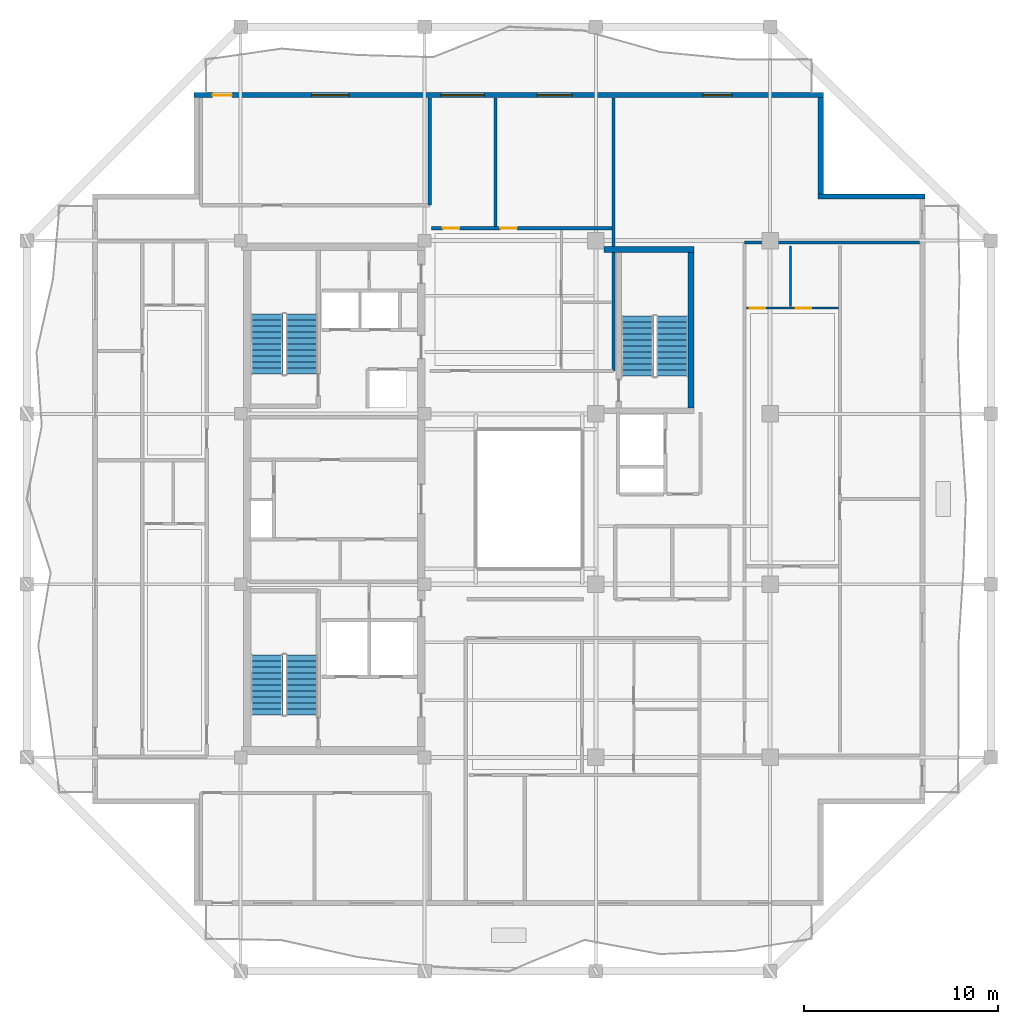
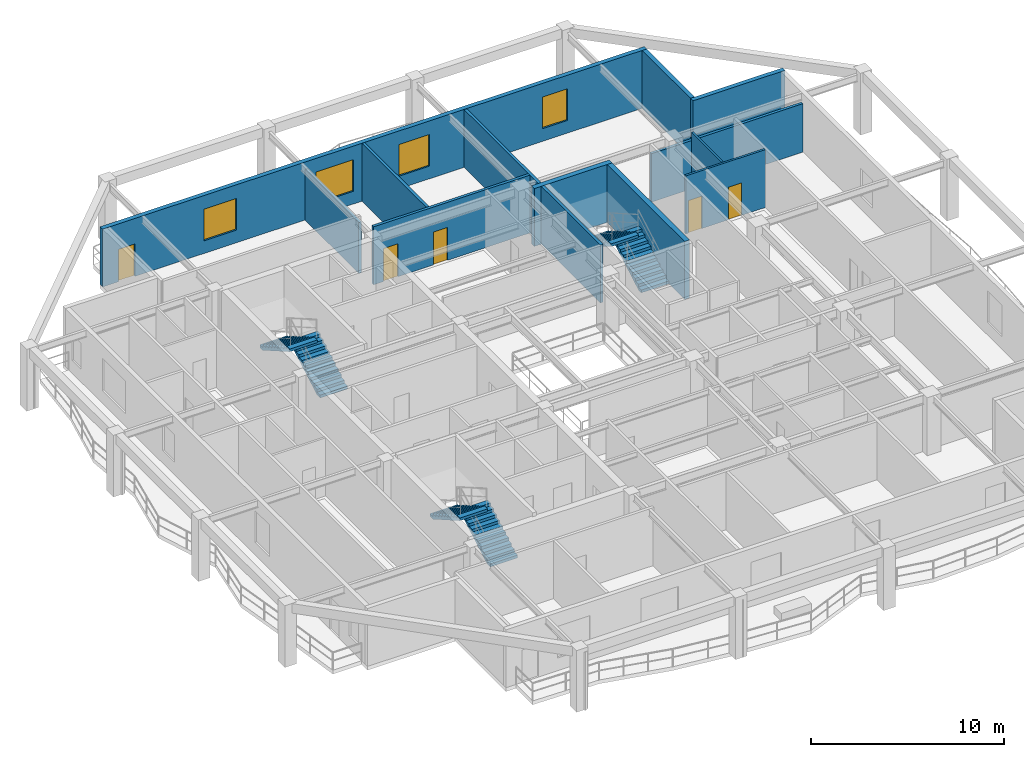
# One storey, part 6 of 11: 12 walls, 6 stair flights, 5 doors, 4 windows, 9 openings, 3 elements without a shape of their own.
"""IFC4 building model written with IfcOpenShell, lengths in metres."""

from ifc_helpers import new_model, si_unit, direction, frame, frame_2d, origin, place, context, subcontext, project, spatial, polyline, rectangle, outline, extrude, material, layer, layer_set, type_object, element, fill, aggregate, save


model = new_model("IFC4")

# Units and contexts
model_context = context("Model", 3, precision=1e-05, world=origin(), true_north=direction((0.0, 1.0)))
body_context = subcontext(model_context, "Body", "Model", "MODEL_VIEW")
ifc_project = project(units=[si_unit("LENGTHUNIT", "METRE"), si_unit("AREAUNIT", "SQUARE_METRE"), si_unit("VOLUMEUNIT", "CUBIC_METRE"), si_unit("PLANEANGLEUNIT", "RADIAN"), si_unit("MASSUNIT", "GRAM", prefix="KILO")], contexts=[model_context])

# Site, building, storey
site_placement = place(None, origin())
site = spatial("IfcSite", under=ifc_project, at=site_placement, CompositionType="ELEMENT")
building_placement = place(site_placement, origin())
building = spatial("IfcBuilding", under=site, at=building_placement, Name="Kundavana Baori Tower", CompositionType="ELEMENT")
storey_placement = place(building_placement, frame((0.0, 0.0, 249.199951171875)))
storey = spatial("IfcBuildingStorey", under=building, at=storey_placement, Name="L61", CompositionType="ELEMENT", Elevation=249.199951171875)

# Walls
ifc_material_1 = material(Name="Kiln-Fired Terracotta Brick-Slip Masonry on Concrete C40/50", Category="masonry")
ifc_layer_1 = layer(ifc_material_1, 0.260009765625, Name="WL-EXT-BRK-260")
ifc_layer_set_1 = layer_set([ifc_layer_1], Name="Kiln-Fired Terracotta Brick-Slip Masonry on Concrete C40/50")
wall_type_1 = type_object("IfcWallType", Name="WL-EXT-BRK-260", PredefinedType="SOLIDWALL", material=ifc_layer_set_1)
wall_1_placement = place(storey_placement, frame((50.800048828125, 44.219970703125, 0.0), z_axis=(0.0, 0.0, 1.0), x_axis=(-1.0, 0.0, 0.0)))
element("IfcWall", 1, at=wall_1_placement, inside=storey, type_object=wall_type_1, Name="L61 Exterior Insulated Facade Wall 05", PredefinedType="SOLIDWALL", context=body_context, shape_type="SweptSolid", body=[
    extrude(rectangle(XDim=5.510009765625, YDim=0.260009765625, at=frame_2d((2.7548828125, 0.0))), origin(), (0.0, 0.0, 1.0), 3.66015625),
])
wall_2_placement = place(storey_placement, frame((45.419921875, 44.35009765625, 0.0), z_axis=(0.0, 0.0, 1.0), x_axis=(0.0, 1.0, 0.0)))
element("IfcWall", 2, at=wall_2_placement, inside=storey, type_object=wall_type_1, Name="L61 Exterior Insulated Facade Wall 06", PredefinedType="SOLIDWALL", context=body_context, shape_type="SweptSolid", body=[
    extrude(rectangle(XDim=4.989990234375, YDim=0.260009765625, at=frame_2d((2.4951171875, 0.0))), origin(), (0.0, 0.0, 1.0), 3.66015625),
])

# Wall, openings, door, windows
wall_3_placement = place(storey_placement, frame((45.550048828125, 49.469970703125, 0.0), z_axis=(0.0, 0.0, 1.0), x_axis=(-1.0, 0.0, 0.0)))
wall_3 = element("IfcWall", 3, at=wall_3_placement, inside=storey, type_object=wall_type_1, Name="L61 Exterior Insulated Facade Wall 07", PredefinedType="SOLIDWALL", context=body_context, shape_type="SweptSolid", body=[
    extrude(rectangle(XDim=32.5, YDim=0.260009765625, at=frame_2d((16.25, 0.0))), origin(), (0.0, 0.0, 1.0), 3.66015625),
])
opening_1_placement = place(wall_3_placement, frame((30.550048828125, 0.0, 0.0)))
opening_1 = element("IfcOpeningElement", 4, at=opening_1_placement, cuts=wall_3, Name="Opening BD-1", PredefinedType="OPENING", context=body_context, shape_type="SweptSolid", body=[
    extrude(rectangle(XDim=1.0, YDim=2.050048828125, at=frame_2d((0.5, 1.02490234375))), frame((0.0, 0.14013671875, 0.0), z_axis=(0.0, -1.0, 0.0), x_axis=(1.0, 0.0, 0.0)), (0.0, 0.0, 1.0), 0.280029296875),
])
opening_2_placement = place(wall_3_placement, frame((24.489990234375, 0.0, 0.800048828125)))
opening_2 = element("IfcOpeningElement", 5, at=opening_2_placement, cuts=wall_3, Name="Opening W-09", PredefinedType="OPENING", context=body_context, shape_type="SweptSolid", body=[
    extrude(rectangle(XDim=1.949951171875, YDim=2.0, at=frame_2d((0.97509765625, 1.0))), frame((0.0, 0.14013671875, 0.0), z_axis=(0.0, -1.0, 0.0), x_axis=(1.0, 0.0, 0.0)), (0.0, 0.0, 1.0), 0.280029296875),
])
opening_3_placement = place(wall_3_placement, frame((17.5029296875, 0.0, 0.800048828125)))
opening_3 = element("IfcOpeningElement", 6, at=opening_3_placement, cuts=wall_3, Name="Opening W-10", PredefinedType="OPENING", context=body_context, shape_type="SweptSolid", body=[
    extrude(rectangle(XDim=2.25, YDim=2.0, at=frame_2d((1.125, 1.0))), frame((0.0, 0.14013671875, 0.0), z_axis=(0.0, -1.0, 0.0), x_axis=(1.0, 0.0, 0.0)), (0.0, 0.0, 1.0), 0.280029296875),
])
opening_4_placement = place(wall_3_placement, frame((12.97802734375, 0.0, 0.800048828125)))
opening_4 = element("IfcOpeningElement", 7, at=opening_4_placement, cuts=wall_3, Name="Opening W-01", PredefinedType="OPENING", context=body_context, shape_type="SweptSolid", body=[
    extrude(rectangle(XDim=1.800048828125, YDim=2.0, at=frame_2d((0.89990234375, 1.0))), frame((0.0, 0.14013671875, 0.0), z_axis=(0.0, -1.0, 0.0), x_axis=(1.0, 0.0, 0.0)), (0.0, 0.0, 1.0), 0.280029296875),
])
opening_5_placement = place(wall_3_placement, frame((4.719970703125, 0.0, 0.800048828125)))
opening_5 = element("IfcOpeningElement", 8, at=opening_5_placement, cuts=wall_3, Name="Opening W-02", PredefinedType="OPENING", context=body_context, shape_type="SweptSolid", body=[
    extrude(rectangle(XDim=1.5, YDim=2.0, at=frame_2d((0.75, 1.0))), frame((0.0, 0.14013671875, 0.0), z_axis=(0.0, -1.0, 0.0), x_axis=(1.0, 0.0, 0.0)), (0.0, 0.0, 1.0), 0.280029296875),
])
ifc_material_2 = material(Name="Architectural Patinated Bronze Metalwork")
door_type_1 = type_object("IfcDoorType", Name="DR-EXT-LOG-1000", OperationType="NOTDEFINED", PredefinedType="DOOR", material=ifc_material_2)
door_1_placement = place(opening_1_placement, frame((1.0, 0.0, 0.0), z_axis=(0.0, 0.0, 1.0), x_axis=(-1.0, 0.0, 0.0)))
door_1 = element("IfcDoor", 9, at=door_1_placement, inside=storey, type_object=door_type_1, Name="L61 Loggia Balcony Access Door N", OperationType="SINGLE_SWING_LEFT", OverallHeight=2.050048828125, OverallWidth=1.0, PredefinedType="DOOR", context=body_context, shape_type="SweptSolid", body=[
    extrude(rectangle(XDim=1.0, YDim=2.050048828125, at=frame_2d((0.5, 1.02490234375))), frame((0.0, 0.02490234375, 0.0), z_axis=(0.0, -1.0, 0.0), x_axis=(1.0, 0.0, 0.0)), (0.0, 0.0, 1.0), 0.050048828125),
])
fill(opening_1, door_1)
ifc_material_3 = material(Name="Double-Glazed Solar-Control Low-E Insulated Glass", Category="glass")
window_type_1 = type_object("IfcWindowType", Name="WIN-LOG-1500x2000", PartitioningType="SINGLE_PANEL", PredefinedType="WINDOW", material=ifc_material_3)
window_1_placement = place(opening_5_placement, origin())
window_1 = element("IfcWindow", 10, at=window_1_placement, inside=storey, type_object=window_type_1, Name="L61 Recessed Loggia Window N-4", OverallHeight=2.0, OverallWidth=1.5, PartitioningType="SINGLE_PANEL", PredefinedType="WINDOW", context=body_context, shape_type="SweptSolid", body=[
    extrude(rectangle(XDim=1.5, YDim=2.0, at=frame_2d((0.75, 1.0))), frame((0.0, 0.030029296875, 0.0), z_axis=(0.0, -1.0, 0.0), x_axis=(1.0, 0.0, 0.0)), (0.0, 0.0, 1.0), 0.06005859375),
])
fill(opening_5, window_1)
ifc_material_4 = material(Name="Double-Glazed Solar-Control Low-E Insulated Glass", Category="glass")
window_type_2 = type_object("IfcWindowType", Name="WIN-LOG-1800x2000", PartitioningType="SINGLE_PANEL", PredefinedType="WINDOW", material=ifc_material_4)
window_2_placement = place(opening_4_placement, origin())
window_2 = element("IfcWindow", 11, at=window_2_placement, inside=storey, type_object=window_type_2, Name="L61 Recessed Loggia Window N-3", OverallHeight=2.0, OverallWidth=1.800048828125, PartitioningType="SINGLE_PANEL", PredefinedType="WINDOW", context=body_context, shape_type="SweptSolid", body=[
    extrude(rectangle(XDim=1.800048828125, YDim=2.0, at=frame_2d((0.89990234375, 1.0))), frame((0.0, 0.030029296875, 0.0), z_axis=(0.0, -1.0, 0.0), x_axis=(1.0, 0.0, 0.0)), (0.0, 0.0, 1.0), 0.06005859375),
])
fill(opening_4, window_2)
ifc_material_5 = material(Name="Double-Glazed Solar-Control Low-E Insulated Glass", Category="glass")
window_type_3 = type_object("IfcWindowType", Name="WIN-LOG-1950x2000", PartitioningType="SINGLE_PANEL", PredefinedType="WINDOW", material=ifc_material_5)
window_3_placement = place(opening_2_placement, origin())
window_3 = element("IfcWindow", 12, at=window_3_placement, inside=storey, type_object=window_type_3, Name="L61 Recessed Loggia Window N-1", OverallHeight=2.0, OverallWidth=1.949951171875, PartitioningType="SINGLE_PANEL", PredefinedType="WINDOW", context=body_context, shape_type="SweptSolid", body=[
    extrude(rectangle(XDim=1.949951171875, YDim=2.0, at=frame_2d((0.97509765625, 1.0))), frame((0.0, 0.030029296875, 0.0), z_axis=(0.0, -1.0, 0.0), x_axis=(1.0, 0.0, 0.0)), (0.0, 0.0, 1.0), 0.06005859375),
])
fill(opening_2, window_3)
ifc_material_6 = material(Name="Double-Glazed Solar-Control Low-E Insulated Glass", Category="glass")
window_type_4 = type_object("IfcWindowType", Name="WIN-LOG-2250x2000", PartitioningType="SINGLE_PANEL", PredefinedType="WINDOW", material=ifc_material_6)
window_4_placement = place(opening_3_placement, origin())
window_4 = element("IfcWindow", 13, at=window_4_placement, inside=storey, type_object=window_type_4, Name="L61 Recessed Loggia Window N-2", OverallHeight=2.0, OverallWidth=2.25, PartitioningType="SINGLE_PANEL", PredefinedType="WINDOW", context=body_context, shape_type="SweptSolid", body=[
    extrude(rectangle(XDim=2.25, YDim=2.0, at=frame_2d((1.125, 1.0))), frame((0.0, 0.030029296875, 0.0), z_axis=(0.0, -1.0, 0.0), x_axis=(1.0, 0.0, 0.0)), (0.0, 0.0, 1.0), 0.06005859375),
])
fill(opening_3, window_4)

# Walls
ifc_material_7 = material(Name="Fire-Rated Gypsum Drywall on Galvanised Steel Studs", Category="steel")
ifc_layer_2 = layer(ifc_material_7, 0.1650390625, Name="WL-PART-165")
ifc_layer_set_2 = layer_set([ifc_layer_2], Name="Fire-Rated Gypsum Drywall on Galvanised Steel Studs")
wall_type_2 = type_object("IfcWallType", Name="WL-PART-165", PredefinedType="PARTITIONING", material=ifc_layer_set_2)
wall_4_placement = place(storey_placement, frame((25.219970703125, 43.780029296875, 0.0), z_axis=(0.0, 0.0, 1.0), x_axis=(0.0, 1.0, 0.0)))
element("IfcWall", 14, at=wall_4_placement, inside=storey, type_object=wall_type_2, Name="WL-L61-RNCE", PredefinedType="PARTITIONING", context=body_context, shape_type="SweptSolid", body=[
    extrude(rectangle(XDim=5.5400390625, YDim=0.1650390625, at=frame_2d((2.77001953125, 0.0))), origin(), (0.0, 0.0, 1.0), 3.2099609375),
])
wall_5_placement = place(storey_placement, frame((34.719970703125, 35.219970703125, 0.0), z_axis=(0.0, 0.0, 1.0), x_axis=(0.0, 1.0, 0.0)))
element("IfcWall", 15, at=wall_5_placement, inside=storey, type_object=wall_type_2, Name="WL-L61-RNEND", PredefinedType="PARTITIONING", context=body_context, shape_type="SweptSolid", body=[
    extrude(rectangle(XDim=14.10009765625, YDim=0.1650390625, at=frame_2d((7.050048828125, 0.0))), origin(), (0.0, 0.0, 1.0), 3.66015625),
])

# Wall, openings, doors
wall_6_placement = place(storey_placement, frame((25.300048828125, 42.590087890625, 0.0), z_axis=(0.0, 0.0, 1.0), x_axis=(1.0, 0.0, 0.0)))
wall_6 = element("IfcWall", 16, at=wall_6_placement, inside=storey, type_object=wall_type_2, Name="WL-L61-N1-HZ", PredefinedType="PARTITIONING", context=body_context, shape_type="SweptSolid", body=[
    extrude(rectangle(XDim=9.33984375, YDim=0.1650390625, at=frame_2d((4.669921875, 0.0))), origin(), (0.0, 0.0, 1.0), 3.66015625),
])
opening_6_placement = place(wall_6_placement, frame((0.60009765625, 0.0, 0.0)))
opening_6 = element("IfcOpeningElement", 17, at=opening_6_placement, cuts=wall_6, Name="Opening ID-085", PredefinedType="OPENING", context=body_context, shape_type="SweptSolid", body=[
    extrude(rectangle(XDim=0.85009765625, YDim=2.080078125, at=frame_2d((0.425048828125, 1.0400390625))), frame((0.0, 0.092529296875, 0.0), z_axis=(0.0, -1.0, 0.0), x_axis=(1.0, 0.0, 0.0)), (0.0, 0.0, 1.0), 0.18505859375),
])
opening_7_placement = place(wall_6_placement, frame((3.572998046875, 0.0, 0.0)))
opening_7 = element("IfcOpeningElement", 18, at=opening_7_placement, cuts=wall_6, Name="Opening ID-085", PredefinedType="OPENING", context=body_context, shape_type="SweptSolid", body=[
    extrude(rectangle(XDim=0.85009765625, YDim=2.080078125, at=frame_2d((0.425048828125, 1.0400390625))), frame((0.0, 0.092529296875, 0.0), z_axis=(0.0, -1.0, 0.0), x_axis=(1.0, 0.0, 0.0)), (0.0, 0.0, 1.0), 0.18505859375),
])
ifc_material_8 = material(Name="Engineered Teak Solid-Core Timber Veneer", Category="wood")
door_type_2 = type_object("IfcDoorType", Name="DR-INT-850", OperationType="NOTDEFINED", PredefinedType="DOOR", material=ifc_material_8)
door_2_placement = place(opening_6_placement, origin())
door_2 = element("IfcDoor", 19, at=door_2_placement, inside=storey, type_object=door_type_2, Name="DR-L61-N1-B1", OperationType="SINGLE_SWING_LEFT", OverallHeight=2.080078125, OverallWidth=0.85009765625, PredefinedType="DOOR", context=body_context, shape_type="SweptSolid", body=[
    extrude(rectangle(XDim=0.85009765625, YDim=2.080078125, at=frame_2d((0.425048828125, 1.0400390625))), frame((0.0, 0.02490234375, 0.0), z_axis=(0.0, -1.0, 0.0), x_axis=(1.0, 0.0, 0.0)), (0.0, 0.0, 1.0), 0.050048828125),
])
fill(opening_6, door_2)
door_3_placement = place(opening_7_placement, origin())
door_3 = element("IfcDoor", 20, at=door_3_placement, inside=storey, type_object=door_type_2, Name="DR-L61-N1-B2", OperationType="SINGLE_SWING_RIGHT", OverallHeight=2.080078125, OverallWidth=0.85009765625, PredefinedType="DOOR", context=body_context, shape_type="SweptSolid", body=[
    extrude(rectangle(XDim=0.85009765625, YDim=2.080078125, at=frame_2d((0.425048828125, 1.0400390625))), frame((0.0, 0.02490234375, 0.0), z_axis=(0.0, -1.0, 0.0), x_axis=(1.0, 0.0, 0.0)), (0.0, 0.0, 1.0), 0.050048828125),
])
fill(opening_7, door_3)

# Walls
wall_7_placement = place(storey_placement, frame((28.623046875, 42.669921875, 0.0), z_axis=(0.0, 0.0, 1.0), x_axis=(0.0, 1.0, 0.0)))
element("IfcWall", 21, at=wall_7_placement, inside=storey, type_object=wall_type_2, Name="WL-L61-N1-BDV", PredefinedType="PARTITIONING", context=body_context, shape_type="SweptSolid", body=[
    extrude(rectangle(XDim=6.650146484375, YDim=0.1650390625, at=frame_2d((3.3251953125, 0.0))), origin(), (0.0, 0.0, 1.0), 3.66015625),
])
wall_8_placement = place(storey_placement, frame((41.47998046875, 41.85009765625, 0.0), z_axis=(0.0, 0.0, 1.0), x_axis=(1.0, 0.0, 0.0)))
element("IfcWall", 22, at=wall_8_placement, inside=storey, type_object=wall_type_2, Name="WL-L61-REN", PredefinedType="PARTITIONING", context=body_context, shape_type="SweptSolid", body=[
    extrude(rectangle(XDim=9.0400390625, YDim=0.1650390625, at=frame_2d((4.52001953125, 0.0))), origin(), (0.0, 0.0, 1.0), 3.06005859375),
])
ifc_material_9 = material(Name="Concrete C50/60", Category="concrete")
ifc_layer_3 = layer(ifc_material_9, 0.300048828125, Name="WL-ST3-300")
ifc_layer_set_3 = layer_set([ifc_layer_3], Name="Concrete C50/60")
wall_type_3 = type_object("IfcWallType", Name="WL-ST3-300", PredefinedType="SHEAR", material=ifc_layer_set_3)
wall_9_placement = place(storey_placement, frame((34.22509765625, 41.489990234375, 0.0), z_axis=(0.0, 0.0, 1.0), x_axis=(1.0, 0.0, 0.0)))
element("IfcWall", 23, at=wall_9_placement, inside=storey, type_object=wall_type_3, Name="L61 Stair ST3 North Shear Wall", PredefinedType="SHEAR", context=body_context, shape_type="SweptSolid", body=[
    extrude(rectangle(XDim=4.64501953125, YDim=0.300048828125, at=frame_2d((2.322509765625, 0.0))), origin(), (0.0, 0.0, 1.0), 3.66015625),
])
wall_10_placement = place(storey_placement, frame((38.719970703125, 33.31005859375, 0.0), z_axis=(0.0, 0.0, 1.0), x_axis=(0.0, 1.0, 0.0)))
element("IfcWall", 24, at=wall_10_placement, inside=storey, type_object=wall_type_3, Name="L61 Stair ST3 East Shear Wall", PredefinedType="SHEAR", context=body_context, shape_type="SweptSolid", body=[
    extrude(rectangle(XDim=8.030029296875, YDim=0.300048828125, at=frame_2d((4.01513671875, 0.0))), origin(), (0.0, 0.0, 1.0), 3.66015625),
])

# Wall, openings, doors
ifc_material_10 = material(Name="Autoclaved Aerated Concrete Blockwork Masonry", Category="masonry")
ifc_layer_4 = layer(ifc_material_10, 0.125, Name="WL-WET-120")
ifc_layer_set_4 = layer_set([ifc_layer_4], Name="Autoclaved Aerated Concrete Blockwork Masonry")
wall_type_4 = type_object("IfcWallType", Name="WL-WET-120", PredefinedType="PLUMBINGWALL", material=ifc_layer_set_4)
wall_11_placement = place(storey_placement, frame((41.580078125, 38.469970703125, 0.0), z_axis=(0.0, 0.0, 1.0), x_axis=(1.0, 0.0, 0.0)))
wall_11 = element("IfcWall", 25, at=wall_11_placement, inside=storey, type_object=wall_type_4, Name="WL-L61-E1-KH", PredefinedType="PLUMBINGWALL", context=body_context, shape_type="SweptSolid", body=[
    extrude(rectangle(XDim=4.747802734375, YDim=0.125, at=frame_2d((2.3740234375, 0.0))), origin(), (0.0, 0.0, 1.0), 3.66015625),
])
opening_8_placement = place(wall_11_placement, frame((0.159912109375, 0.0, 0.0)))
opening_8 = element("IfcOpeningElement", 26, at=opening_8_placement, cuts=wall_11, Name="Opening WD-080", PredefinedType="OPENING", context=body_context, shape_type="SweptSolid", body=[
    extrude(rectangle(XDim=0.800048828125, YDim=2.050048828125, at=frame_2d((0.39990234375, 1.02490234375))), frame((0.0, 0.072509765625, 0.0), z_axis=(0.0, -1.0, 0.0), x_axis=(1.0, 0.0, 0.0)), (0.0, 0.0, 1.0), 0.14501953125),
])
opening_9_placement = place(wall_11_placement, frame((2.5390625, 0.0, 0.0)))
opening_9 = element("IfcOpeningElement", 27, at=opening_9_placement, cuts=wall_11, Name="Opening WD-080", PredefinedType="OPENING", context=body_context, shape_type="SweptSolid", body=[
    extrude(rectangle(XDim=0.800048828125, YDim=2.050048828125, at=frame_2d((0.39990234375, 1.02490234375))), frame((0.0, 0.072509765625, 0.0), z_axis=(0.0, -1.0, 0.0), x_axis=(1.0, 0.0, 0.0)), (0.0, 0.0, 1.0), 0.14501953125),
])
ifc_material_11 = material(Name="Engineered Teak Solid-Core Timber Veneer", Category="wood")
door_type_3 = type_object("IfcDoorType", Name="DR-WET-800", OperationType="NOTDEFINED", PredefinedType="DOOR", material=ifc_material_11)
door_4_placement = place(opening_8_placement, origin())
door_4 = element("IfcDoor", 28, at=door_4_placement, inside=storey, type_object=door_type_3, Name="DR-L61-E1-BT", OperationType="SINGLE_SWING_LEFT", OverallHeight=2.050048828125, OverallWidth=0.800048828125, PredefinedType="DOOR", context=body_context, shape_type="SweptSolid", body=[
    extrude(rectangle(XDim=0.800048828125, YDim=2.050048828125, at=frame_2d((0.39990234375, 1.02490234375))), frame((0.0, 0.02490234375, 0.0), z_axis=(0.0, -1.0, 0.0), x_axis=(1.0, 0.0, 0.0)), (0.0, 0.0, 1.0), 0.050048828125),
])
fill(opening_8, door_4)
door_5_placement = place(opening_9_placement, origin())
door_5 = element("IfcDoor", 29, at=door_5_placement, inside=storey, type_object=door_type_3, Name="DR-L61-E1-KT", OperationType="SINGLE_SWING_RIGHT", OverallHeight=2.050048828125, OverallWidth=0.800048828125, PredefinedType="DOOR", context=body_context, shape_type="SweptSolid", body=[
    extrude(rectangle(XDim=0.800048828125, YDim=2.050048828125, at=frame_2d((0.39990234375, 1.02490234375))), frame((0.0, 0.02490234375, 0.0), z_axis=(0.0, -1.0, 0.0), x_axis=(1.0, 0.0, 0.0)), (0.0, 0.0, 1.0), 0.050048828125),
])
fill(opening_9, door_5)

# Wall
wall_12_placement = place(storey_placement, frame((43.85888671875, 38.550048828125, 0.0), z_axis=(0.0, 0.0, 1.0), x_axis=(0.0, 1.0, 0.0)))
element("IfcWall", 30, at=wall_12_placement, inside=storey, type_object=wall_type_4, Name="WL-L61-E1-BV", PredefinedType="PLUMBINGWALL", context=body_context, shape_type="SweptSolid", body=[
    extrude(rectangle(XDim=3.119873046875, YDim=0.125, at=frame_2d((1.56005859375, 0.0))), origin(), (0.0, 0.0, 1.0), 3.66015625),
])

# Stair, stair flights
ifc_material_12 = material(Name="Concrete C40/50", Category="concrete")
stair_type = type_object("IfcStairType", Name="STR-DOG-1650", PredefinedType="HALF_TURN_STAIR", material=ifc_material_12)
stair_1_placement = place(storey_placement, origin())
stair_1 = element("IfcStair", 31, at=stair_1_placement, inside=storey, type_object=stair_type, Name="L61 Protected Exit Stair ST1", PredefinedType="HALF_TURN_STAIR")
ifc_material_13 = material(Name="Concrete C40/50", Category="concrete")
stair_flight_type = type_object("IfcStairFlightType", Name="SFL-RC-1650", PredefinedType="STRAIGHT", material=ifc_material_13)
stair_flight_1_placement = place(storey_placement, frame((18.614990234375, 17.449951171875, 0.0), z_axis=(0.0, 0.0, 1.0), x_axis=(0.0, 1.0, 0.0)))
stair_flight_1 = element("IfcStairFlight", 32, at=stair_flight_1_placement, type_object=stair_flight_type, Name="ST1 flight 1", NumberOfRisers=11, NumberOfTreads=10, PredefinedType="STRAIGHT", RiserHeight=0.177272727, TreadLength=0.31, context=body_context, shape_type="SweptSolid", body=[
    extrude(outline(polyline([(0.0, 0.0), (0.0, 0.17724609375), (0.31005859375, 0.17724609375), (0.31005859375, 0.3544921875), (0.6201171875, 0.3544921875), (0.6201171875, 0.53173828125), (0.929931640625, 0.53173828125), (0.929931640625, 0.708984375), (1.239990234375, 0.708984375), (1.239990234375, 0.886474609375), (1.550048828125, 0.886474609375), (1.550048828125, 1.063720703125), (1.860107421875, 1.063720703125), (1.860107421875, 1.240966796875), (2.169921875, 1.240966796875), (2.169921875, 1.418212890625), (2.47998046875, 1.418212890625), (2.47998046875, 1.595458984375), (2.7900390625, 1.595458984375), (2.7900390625, 1.772705078125), (3.10009765625, 1.772705078125), (3.10009765625, 1.949951171875), (3.10009765625, 1.60009765625), (0.302001953125, 0.0), (0.0, 0.0)])), frame((0.0, 0.824951171875, 0.0), z_axis=(0.0, -1.0, 0.0), x_axis=(1.0, 0.0, 0.0)), (0.0, 0.0, 1.0), 1.64990234375),
])
stair_flight_2_placement = place(storey_placement, frame((16.804931640625, 20.550048828125, 1.949951171875), z_axis=(0.0, 0.0, 1.0), x_axis=(0.0, -1.0, 0.0)))
stair_flight_2 = element("IfcStairFlight", 33, at=stair_flight_2_placement, type_object=stair_flight_type, Name="ST1 flight 2", NumberOfRisers=11, NumberOfTreads=10, PredefinedType="STRAIGHT", RiserHeight=0.177272727, TreadLength=0.31, context=body_context, shape_type="SweptSolid", body=[
    extrude(outline(polyline([(0.0, 0.0), (0.0, 0.17724609375), (0.31005859375, 0.17724609375), (0.31005859375, 0.3544921875), (0.6201171875, 0.3544921875), (0.6201171875, 0.53173828125), (0.929931640625, 0.53173828125), (0.929931640625, 0.708984375), (1.239990234375, 0.708984375), (1.239990234375, 0.886474609375), (1.550048828125, 0.886474609375), (1.550048828125, 1.063720703125), (1.860107421875, 1.063720703125), (1.860107421875, 1.240966796875), (2.169921875, 1.240966796875), (2.169921875, 1.418212890625), (2.47998046875, 1.418212890625), (2.47998046875, 1.595458984375), (2.7900390625, 1.595458984375), (2.7900390625, 1.772705078125), (3.10009765625, 1.772705078125), (3.10009765625, 1.949951171875), (3.10009765625, 1.60009765625), (0.302001953125, 0.0), (0.0, 0.0)])), frame((0.0, 0.824951171875, 0.0), z_axis=(0.0, -1.0, 0.0), x_axis=(1.0, 0.0, 0.0)), (0.0, 0.0, 1.0), 1.64990234375),
])
aggregate(stair_1, [stair_flight_1, stair_flight_2])

stair_2_placement = place(storey_placement, origin())
stair_2 = element("IfcStair", 34, at=stair_2_placement, inside=storey, type_object=stair_type, Name="L61 Protected Exit Stair ST2", PredefinedType="HALF_TURN_STAIR")
stair_flight_3_placement = place(storey_placement, frame((18.614990234375, 35.050048828125, 0.0), z_axis=(0.0, 0.0, 1.0), x_axis=(0.0, 1.0, 0.0)))
stair_flight_3 = element("IfcStairFlight", 35, at=stair_flight_3_placement, type_object=stair_flight_type, Name="ST2 flight 1", NumberOfRisers=11, NumberOfTreads=10, PredefinedType="STRAIGHT", RiserHeight=0.177272727, TreadLength=0.31, context=body_context, shape_type="SweptSolid", body=[
    extrude(outline(polyline([(0.0, 0.0), (0.0, 0.17724609375), (0.31005859375, 0.17724609375), (0.31005859375, 0.3544921875), (0.6201171875, 0.3544921875), (0.6201171875, 0.53173828125), (0.929931640625, 0.53173828125), (0.929931640625, 0.708984375), (1.239990234375, 0.708984375), (1.239990234375, 0.886474609375), (1.550048828125, 0.886474609375), (1.550048828125, 1.063720703125), (1.860107421875, 1.063720703125), (1.860107421875, 1.240966796875), (2.169921875, 1.240966796875), (2.169921875, 1.418212890625), (2.47998046875, 1.418212890625), (2.47998046875, 1.595458984375), (2.7900390625, 1.595458984375), (2.7900390625, 1.772705078125), (3.10009765625, 1.772705078125), (3.10009765625, 1.949951171875), (3.10009765625, 1.60009765625), (0.302001953125, 0.0), (0.0, 0.0)])), frame((0.0, 0.824951171875, 0.0), z_axis=(0.0, -1.0, 0.0), x_axis=(1.0, 0.0, 0.0)), (0.0, 0.0, 1.0), 1.64990234375),
])
stair_flight_4_placement = place(storey_placement, frame((16.804931640625, 38.14990234375, 1.949951171875), z_axis=(0.0, 0.0, 1.0), x_axis=(0.0, -1.0, 0.0)))
stair_flight_4 = element("IfcStairFlight", 36, at=stair_flight_4_placement, type_object=stair_flight_type, Name="ST2 flight 2", NumberOfRisers=11, NumberOfTreads=10, PredefinedType="STRAIGHT", RiserHeight=0.177272727, TreadLength=0.31, context=body_context, shape_type="SweptSolid", body=[
    extrude(outline(polyline([(0.0, 0.0), (0.0, 0.17724609375), (0.31005859375, 0.17724609375), (0.31005859375, 0.3544921875), (0.6201171875, 0.3544921875), (0.6201171875, 0.53173828125), (0.929931640625, 0.53173828125), (0.929931640625, 0.708984375), (1.239990234375, 0.708984375), (1.239990234375, 0.886474609375), (1.550048828125, 0.886474609375), (1.550048828125, 1.063720703125), (1.860107421875, 1.063720703125), (1.860107421875, 1.240966796875), (2.169921875, 1.240966796875), (2.169921875, 1.418212890625), (2.47998046875, 1.418212890625), (2.47998046875, 1.595458984375), (2.7900390625, 1.595458984375), (2.7900390625, 1.772705078125), (3.10009765625, 1.772705078125), (3.10009765625, 1.949951171875), (3.10009765625, 1.60009765625), (0.302001953125, 0.0), (0.0, 0.0)])), frame((0.0, 0.824951171875, 0.0), z_axis=(0.0, -1.0, 0.0), x_axis=(1.0, 0.0, 0.0)), (0.0, 0.0, 1.0), 1.64990234375),
])
aggregate(stair_2, [stair_flight_3, stair_flight_4])

stair_3_placement = place(storey_placement, origin())
stair_3 = element("IfcStair", 37, at=stair_3_placement, inside=storey, type_object=stair_type, Name="L61 Protected Exit Stair ST3", PredefinedType="HALF_TURN_STAIR")
stair_flight_5_placement = place(storey_placement, frame((37.7548828125, 34.949951171875, 0.0), z_axis=(0.0, 0.0, 1.0), x_axis=(0.0, 1.0, 0.0)))
stair_flight_5 = element("IfcStairFlight", 38, at=stair_flight_5_placement, type_object=stair_flight_type, Name="ST3 flight 1", NumberOfRisers=11, NumberOfTreads=10, PredefinedType="STRAIGHT", RiserHeight=0.177272727, TreadLength=0.31, context=body_context, shape_type="SweptSolid", body=[
    extrude(outline(polyline([(0.0, 0.0), (0.0, 0.17724609375), (0.31005859375, 0.17724609375), (0.31005859375, 0.3544921875), (0.6201171875, 0.3544921875), (0.6201171875, 0.53173828125), (0.929931640625, 0.53173828125), (0.929931640625, 0.708984375), (1.239990234375, 0.708984375), (1.239990234375, 0.886474609375), (1.550048828125, 0.886474609375), (1.550048828125, 1.063720703125), (1.860107421875, 1.063720703125), (1.860107421875, 1.240966796875), (2.169921875, 1.240966796875), (2.169921875, 1.418212890625), (2.47998046875, 1.418212890625), (2.47998046875, 1.595458984375), (2.7900390625, 1.595458984375), (2.7900390625, 1.772705078125), (3.10009765625, 1.772705078125), (3.10009765625, 1.949951171875), (3.10009765625, 1.60009765625), (0.302001953125, 0.0), (0.0, 0.0)])), frame((0.0, 0.824951171875, 0.0), z_axis=(0.0, -1.0, 0.0), x_axis=(1.0, 0.0, 0.0)), (0.0, 0.0, 1.0), 1.64990234375),
])
stair_flight_6_placement = place(storey_placement, frame((35.945068359375, 38.050048828125, 1.949951171875), z_axis=(0.0, 0.0, 1.0), x_axis=(0.0, -1.0, 0.0)))
stair_flight_6 = element("IfcStairFlight", 39, at=stair_flight_6_placement, type_object=stair_flight_type, Name="ST3 flight 2", NumberOfRisers=11, NumberOfTreads=10, PredefinedType="STRAIGHT", RiserHeight=0.177272727, TreadLength=0.31, context=body_context, shape_type="SweptSolid", body=[
    extrude(outline(polyline([(0.0, 0.0), (0.0, 0.17724609375), (0.31005859375, 0.17724609375), (0.31005859375, 0.3544921875), (0.6201171875, 0.3544921875), (0.6201171875, 0.53173828125), (0.929931640625, 0.53173828125), (0.929931640625, 0.708984375), (1.239990234375, 0.708984375), (1.239990234375, 0.886474609375), (1.550048828125, 0.886474609375), (1.550048828125, 1.063720703125), (1.860107421875, 1.063720703125), (1.860107421875, 1.240966796875), (2.169921875, 1.240966796875), (2.169921875, 1.418212890625), (2.47998046875, 1.418212890625), (2.47998046875, 1.595458984375), (2.7900390625, 1.595458984375), (2.7900390625, 1.772705078125), (3.10009765625, 1.772705078125), (3.10009765625, 1.949951171875), (3.10009765625, 1.60009765625), (0.302001953125, 0.0), (0.0, 0.0)])), frame((0.0, 0.824951171875, 0.0), z_axis=(0.0, -1.0, 0.0), x_axis=(1.0, 0.0, 0.0)), (0.0, 0.0, 1.0), 1.64990234375),
])
aggregate(stair_3, [stair_flight_5, stair_flight_6])

save(model, "model.ifc")
